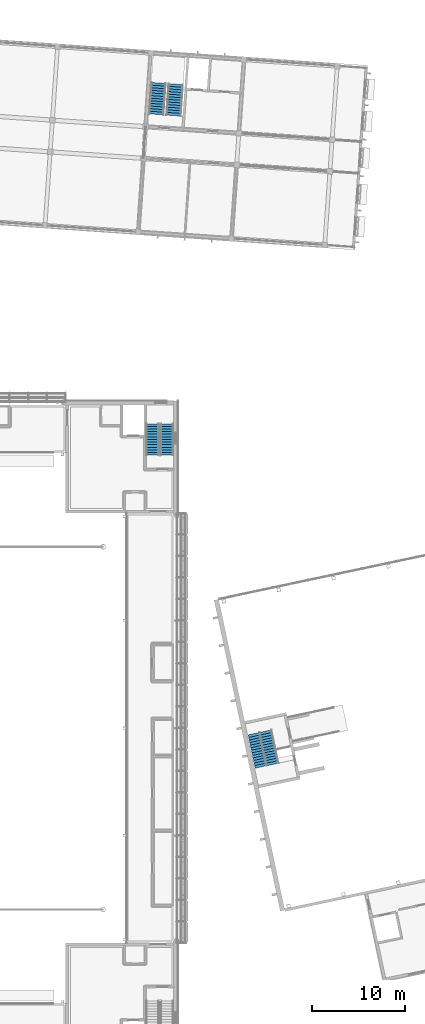
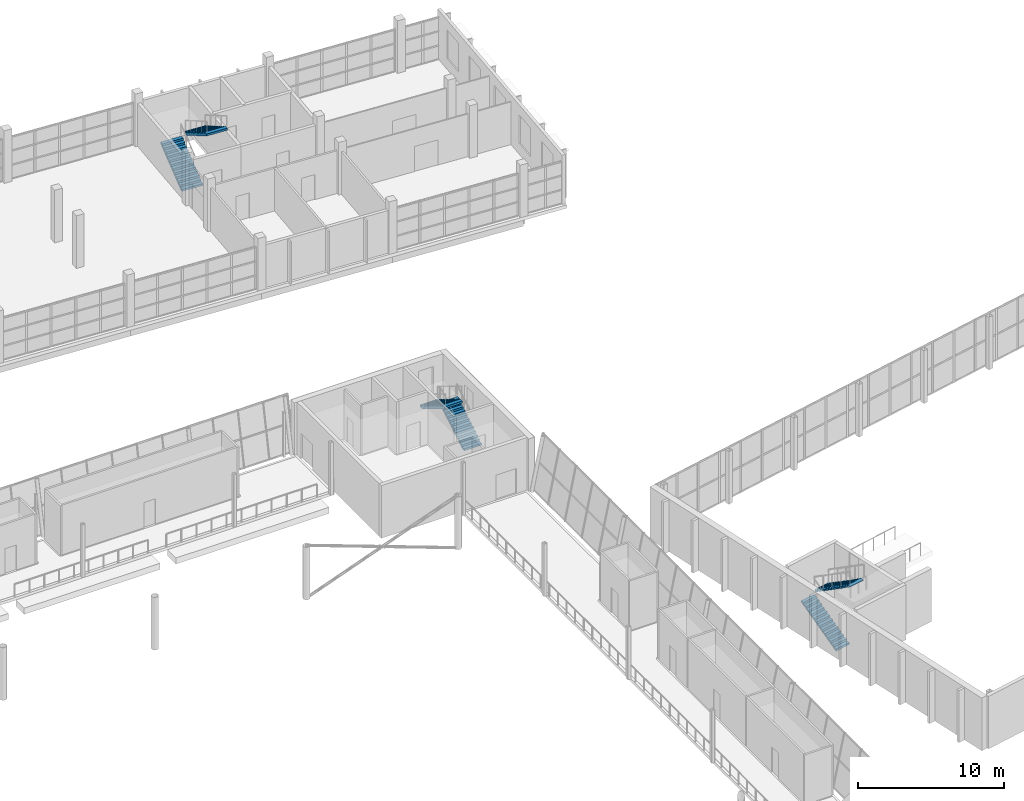
# One storey, part 80 of 115: 6 stair flights, 4 elements without a shape of their own.
"""IFC4 building model written with IfcOpenShell, lengths in metres."""

from ifc_helpers import new_model, si_unit, direction, frame, origin, place, context, subcontext, project, spatial, polyline, outline, extrude, material, type_object, element, aggregate, save


model = new_model("IFC4")

# Units and contexts
model_context = context("Model", 3, precision=1e-05, world=origin(), true_north=direction((0.0, 1.0)))
body_context = subcontext(model_context, "Body", "Model", "MODEL_VIEW")
ifc_project = project(units=[si_unit("LENGTHUNIT", "METRE"), si_unit("AREAUNIT", "SQUARE_METRE"), si_unit("VOLUMEUNIT", "CUBIC_METRE"), si_unit("PLANEANGLEUNIT", "RADIAN"), si_unit("MASSUNIT", "GRAM", prefix="KILO")], contexts=[model_context])

# Site, building, storey
site_placement = place(None, origin())
site = spatial("IfcSite", under=ifc_project, at=site_placement, CompositionType="ELEMENT")
building_placement = place(site_placement, origin())
building = spatial("IfcBuilding", under=site, at=building_placement, Name="Windward Yard Aquatics Centre", CompositionType="ELEMENT")
storey_placement = place(building_placement, frame((0.0, 0.0, 5.0)))
storey = spatial("IfcBuildingStorey", under=building, at=storey_placement, Name="L01", CompositionType="ELEMENT", Elevation=5.0)

# Stair, stair flight
ifc_material_1 = material(Name="Stainless steel 1.4529", Category="steel")
stair_type_1 = type_object("IfcStairType", Name="D tower stair pan", PredefinedType="STRAIGHT_RUN_STAIR", material=ifc_material_1)
stair_1_placement = place(storey_placement, origin())
stair_1 = element("IfcStair", 1, at=stair_1_placement, inside=storey, type_object=stair_type_1, Name="Tower stair flight 3", PredefinedType="STRAIGHT_RUN_STAIR")
stair_flight_type_1 = type_object("IfcStairFlightType", Name="D tower stair flight stainless pan", PredefinedType="STRAIGHT", material=ifc_material_1)
stair_flight_1_placement = place(storey_placement, frame((160.849853515625, 56.831298828125, 0.0), z_axis=(0.0, 0.0, 1.0), x_axis=(-0.207911690818, 0.978147600734, 0.0)))
stair_flight_1 = element("IfcStairFlight", 2, at=stair_flight_1_placement, type_object=stair_flight_type_1, Name="DTS flight 1", NumberOfRisers=14, NumberOfTreads=13, PredefinedType="STRAIGHT", RiserHeight=0.178571429, TreadLength=0.28, context=body_context, shape_type="SweptSolid", body=[
    extrude(outline(polyline([(0.0, 0.0), (0.0, 0.178466796875), (0.280029296875, 0.178466796875), (0.280029296875, 0.357177734375), (0.56005859375, 0.357177734375), (0.56005859375, 0.53564453125), (0.840087890625, 0.53564453125), (0.840087890625, 0.71435546875), (1.1201171875, 0.71435546875), (1.1201171875, 0.892822265625), (1.39990234375, 0.892822265625), (1.39990234375, 1.071533203125), (1.679931640625, 1.071533203125), (1.679931640625, 1.25), (1.9599609375, 1.25), (1.9599609375, 1.428466796875), (2.239990234375, 1.428466796875), (2.239990234375, 1.607177734375), (2.52001953125, 1.607177734375), (2.52001953125, 1.78564453125), (2.800048828125, 1.78564453125), (2.800048828125, 1.96435546875), (3.080078125, 1.96435546875), (3.080078125, 2.142822265625), (3.360107421875, 2.142822265625), (3.360107421875, 2.321533203125), (3.639892578125, 2.321533203125), (3.639892578125, 2.5), (3.639892578125, 2.261962890625), (0.093017578125, 0.0), (0.0, 0.0)])), frame((0.0, 0.60009765625, 0.0), z_axis=(0.0, -1.0, 0.0), x_axis=(1.0, 0.0, 0.0)), (0.0, 0.0, 1.0), 1.199951171875),
])
aggregate(stair_1, [stair_flight_1])

stair_2_placement = place(storey_placement, origin())
stair_2 = element("IfcStair", 3, at=stair_2_placement, inside=storey, type_object=stair_type_1, Name="Tower stair flight 4", PredefinedType="STRAIGHT_RUN_STAIR")
stair_flight_2_placement = place(storey_placement, frame((161.364501953125, 60.662109375, 2.5), z_axis=(0.0, 0.0, 1.0), x_axis=(0.207911690818, -0.978147600734, 0.0)))
stair_flight_2 = element("IfcStairFlight", 4, at=stair_flight_2_placement, type_object=stair_flight_type_1, Name="DTS flight 1", NumberOfRisers=14, NumberOfTreads=13, PredefinedType="STRAIGHT", RiserHeight=0.178571429, TreadLength=0.28, context=body_context, shape_type="SweptSolid", body=[
    extrude(outline(polyline([(0.0, 0.0), (0.0, 0.178466796875), (0.280029296875, 0.178466796875), (0.280029296875, 0.357177734375), (0.56005859375, 0.357177734375), (0.56005859375, 0.53564453125), (0.840087890625, 0.53564453125), (0.840087890625, 0.71435546875), (1.1201171875, 0.71435546875), (1.1201171875, 0.892822265625), (1.39990234375, 0.892822265625), (1.39990234375, 1.071533203125), (1.679931640625, 1.071533203125), (1.679931640625, 1.25), (1.9599609375, 1.25), (1.9599609375, 1.428466796875), (2.239990234375, 1.428466796875), (2.239990234375, 1.607177734375), (2.52001953125, 1.607177734375), (2.52001953125, 1.78564453125), (2.800048828125, 1.78564453125), (2.800048828125, 1.96435546875), (3.080078125, 1.96435546875), (3.080078125, 2.142822265625), (3.360107421875, 2.142822265625), (3.360107421875, 2.321533203125), (3.639892578125, 2.321533203125), (3.639892578125, 2.5), (3.639892578125, 2.261962890625), (0.093017578125, 0.0), (0.0, 0.0)])), frame((0.0, 0.60009765625, 0.0), z_axis=(0.0, -1.0, 0.0), x_axis=(1.0, 0.0, 0.0)), (0.0, 0.0, 1.0), 1.199951171875),
])
aggregate(stair_2, [stair_flight_2])

# Stair, stair flights
ifc_material_2 = material(Name="Concrete C35/45", Category="concrete")
stair_type_2 = type_object("IfcStairType", Name="H Core Stair Concrete C35/45 1400", PredefinedType="HALF_TURN_STAIR", material=ifc_material_2)
stair_3_placement = place(storey_placement, origin())
stair_3 = element("IfcStair", 5, at=stair_3_placement, inside=storey, type_object=stair_type_2, Name="L01 Stair NE", PredefinedType="HALF_TURN_STAIR")
stair_flight_type_2 = type_object("IfcStairFlightType", Name="H Core Stair Flight Concrete C35/45 1400", PredefinedType="STRAIGHT", material=ifc_material_2)
stair_flight_3_placement = place(storey_placement, frame((150.85009765625, 90.199951171875, 0.0), z_axis=(0.0, 0.0, 1.0), x_axis=(0.0, 1.0, 0.0)))
stair_flight_3 = element("IfcStairFlight", 6, at=stair_flight_3_placement, type_object=stair_flight_type_2, Name="ST4 flight 1", NumberOfRisers=13, NumberOfTreads=12, PredefinedType="STRAIGHT", RiserHeight=0.169230769, TreadLength=0.28, context=body_context, shape_type="SweptSolid", body=[
    extrude(outline(polyline([(0.0, 0.0), (0.0, 0.169189453125), (0.280029296875, 0.169189453125), (0.280029296875, 0.33837890625), (0.56005859375, 0.33837890625), (0.56005859375, 0.5078125), (0.840087890625, 0.5078125), (0.840087890625, 0.677001953125), (1.1201171875, 0.677001953125), (1.1201171875, 0.84619140625), (1.39990234375, 0.84619140625), (1.39990234375, 1.015380859375), (1.679931640625, 1.015380859375), (1.679931640625, 1.1845703125), (1.9599609375, 1.1845703125), (1.9599609375, 1.353759765625), (2.239990234375, 1.353759765625), (2.239990234375, 1.523193359375), (2.52001953125, 1.523193359375), (2.52001953125, 1.6923828125), (2.800048828125, 1.6923828125), (2.800048828125, 1.861572265625), (3.080078125, 1.861572265625), (3.080078125, 2.03076171875), (3.360107421875, 2.03076171875), (3.360107421875, 2.199951171875), (3.360107421875, 1.855712890625), (0.289794921875, 0.0), (0.0, 0.0)])), frame((0.0, 0.699951171875, 0.0), z_axis=(0.0, -1.0, 0.0), x_axis=(1.0, 0.0, 0.0)), (0.0, 0.0, 1.0), 1.39990234375),
])
stair_flight_4_placement = place(storey_placement, frame((149.300048828125, 93.56005859375, 2.199951171875), z_axis=(0.0, 0.0, 1.0), x_axis=(0.0, -1.0, 0.0)))
stair_flight_4 = element("IfcStairFlight", 7, at=stair_flight_4_placement, type_object=stair_flight_type_2, Name="ST4 flight 2", NumberOfRisers=13, NumberOfTreads=12, PredefinedType="STRAIGHT", RiserHeight=0.169230769, TreadLength=0.28, context=body_context, shape_type="SweptSolid", body=[
    extrude(outline(polyline([(0.0, 0.0), (0.0, 0.169189453125), (0.280029296875, 0.169189453125), (0.280029296875, 0.33837890625), (0.56005859375, 0.33837890625), (0.56005859375, 0.5078125), (0.840087890625, 0.5078125), (0.840087890625, 0.677001953125), (1.1201171875, 0.677001953125), (1.1201171875, 0.84619140625), (1.39990234375, 0.84619140625), (1.39990234375, 1.015380859375), (1.679931640625, 1.015380859375), (1.679931640625, 1.1845703125), (1.9599609375, 1.1845703125), (1.9599609375, 1.353759765625), (2.239990234375, 1.353759765625), (2.239990234375, 1.523193359375), (2.52001953125, 1.523193359375), (2.52001953125, 1.6923828125), (2.800048828125, 1.6923828125), (2.800048828125, 1.861572265625), (3.080078125, 1.861572265625), (3.080078125, 2.03076171875), (3.360107421875, 2.03076171875), (3.360107421875, 2.199951171875), (3.360107421875, 1.855712890625), (0.289794921875, 0.0), (0.0, 0.0)])), frame((0.0, 0.699951171875, 0.0), z_axis=(0.0, -1.0, 0.0), x_axis=(1.0, 0.0, 0.0)), (0.0, 0.0, 1.0), 1.39990234375),
])
aggregate(stair_3, [stair_flight_3, stair_flight_4])

stair_type_3 = type_object("IfcStairType", Name="W exit stair 1600", PredefinedType="HALF_TURN_STAIR", material=ifc_material_2)
stair_4_placement = place(storey_placement, origin())
stair_4 = element("IfcStair", 8, at=stair_4_placement, inside=storey, type_object=stair_type_3, Name="W.ST.E.L01", PredefinedType="HALF_TURN_STAIR")
stair_flight_type_3 = type_object("IfcStairFlightType", Name="W stair flight 1600 Concrete C35/45", PredefinedType="STRAIGHT", material=ifc_material_2)
stair_flight_5_placement = place(storey_placement, frame((149.69921875, 126.670654296875, 0.0), z_axis=(0.0, 0.0, 1.0), x_axis=(0.069756473744, 0.99756405026, 0.0)))
stair_flight_5 = element("IfcStairFlight", 9, at=stair_flight_5_placement, type_object=stair_flight_type_3, Name="ST-E flight 1", NumberOfRisers=13, NumberOfTreads=12, PredefinedType="STRAIGHT", RiserHeight=0.169230769, TreadLength=0.28, context=body_context, shape_type="SweptSolid", body=[
    extrude(outline(polyline([(0.0, 0.0), (0.0, 0.169189453125), (0.280029296875, 0.169189453125), (0.280029296875, 0.33837890625), (0.56005859375, 0.33837890625), (0.56005859375, 0.5078125), (0.840087890625, 0.5078125), (0.840087890625, 0.677001953125), (1.1201171875, 0.677001953125), (1.1201171875, 0.84619140625), (1.39990234375, 0.84619140625), (1.39990234375, 1.015380859375), (1.679931640625, 1.015380859375), (1.679931640625, 1.1845703125), (1.9599609375, 1.1845703125), (1.9599609375, 1.353759765625), (2.239990234375, 1.353759765625), (2.239990234375, 1.523193359375), (2.52001953125, 1.523193359375), (2.52001953125, 1.6923828125), (2.800048828125, 1.6923828125), (2.800048828125, 1.861572265625), (3.080078125, 1.861572265625), (3.080078125, 2.03076171875), (3.360107421875, 2.03076171875), (3.360107421875, 2.199951171875), (3.360107421875, 1.855712890625), (0.289794921875, 0.0), (0.0, 0.0)])), frame((0.0, 0.800048828125, 0.0), z_axis=(0.0, -1.0, 0.0), x_axis=(1.0, 0.0, 0.0)), (0.0, 0.0, 1.0), 1.60009765625),
])
stair_flight_6_placement = place(storey_placement, frame((151.779052734375, 129.893310546875, 2.199951171875), z_axis=(0.0, 0.0, 1.0), x_axis=(-0.069756473744, -0.99756405026, 0.0)))
stair_flight_6 = element("IfcStairFlight", 10, at=stair_flight_6_placement, type_object=stair_flight_type_3, Name="ST-E flight 2", NumberOfRisers=13, NumberOfTreads=12, PredefinedType="STRAIGHT", RiserHeight=0.169230769, TreadLength=0.28, context=body_context, shape_type="SweptSolid", body=[
    extrude(outline(polyline([(0.0, 0.0), (0.0, 0.169189453125), (0.280029296875, 0.169189453125), (0.280029296875, 0.33837890625), (0.56005859375, 0.33837890625), (0.56005859375, 0.5078125), (0.840087890625, 0.5078125), (0.840087890625, 0.677001953125), (1.1201171875, 0.677001953125), (1.1201171875, 0.84619140625), (1.39990234375, 0.84619140625), (1.39990234375, 1.015380859375), (1.679931640625, 1.015380859375), (1.679931640625, 1.1845703125), (1.9599609375, 1.1845703125), (1.9599609375, 1.353759765625), (2.239990234375, 1.353759765625), (2.239990234375, 1.523193359375), (2.52001953125, 1.523193359375), (2.52001953125, 1.6923828125), (2.800048828125, 1.6923828125), (2.800048828125, 1.861572265625), (3.080078125, 1.861572265625), (3.080078125, 2.03076171875), (3.360107421875, 2.03076171875), (3.360107421875, 2.199951171875), (3.360107421875, 1.855712890625), (0.289794921875, 0.0), (0.0, 0.0)])), frame((0.0, 0.800048828125, 0.0), z_axis=(0.0, -1.0, 0.0), x_axis=(1.0, 0.0, 0.0)), (0.0, 0.0, 1.0), 1.60009765625),
])
aggregate(stair_4, [stair_flight_5, stair_flight_6])

save(model, "model.ifc")
